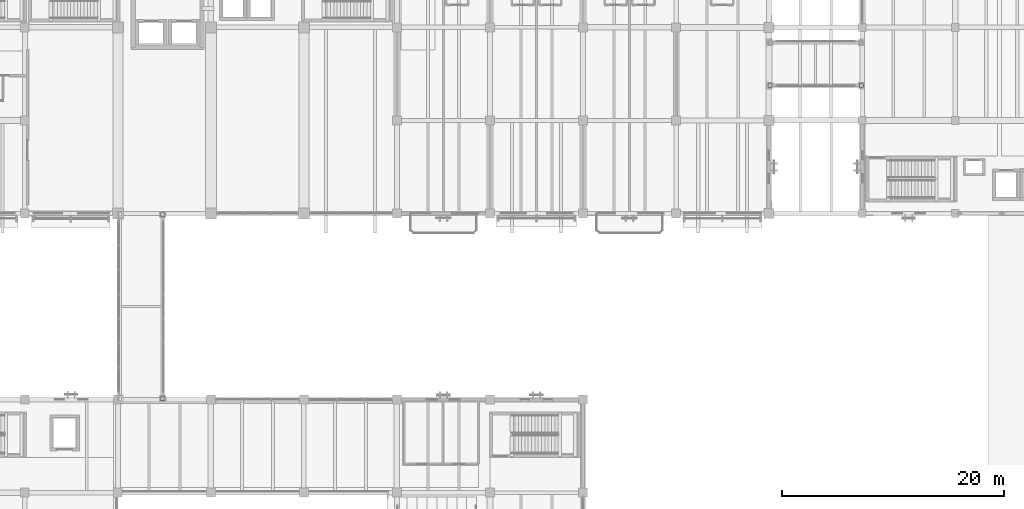
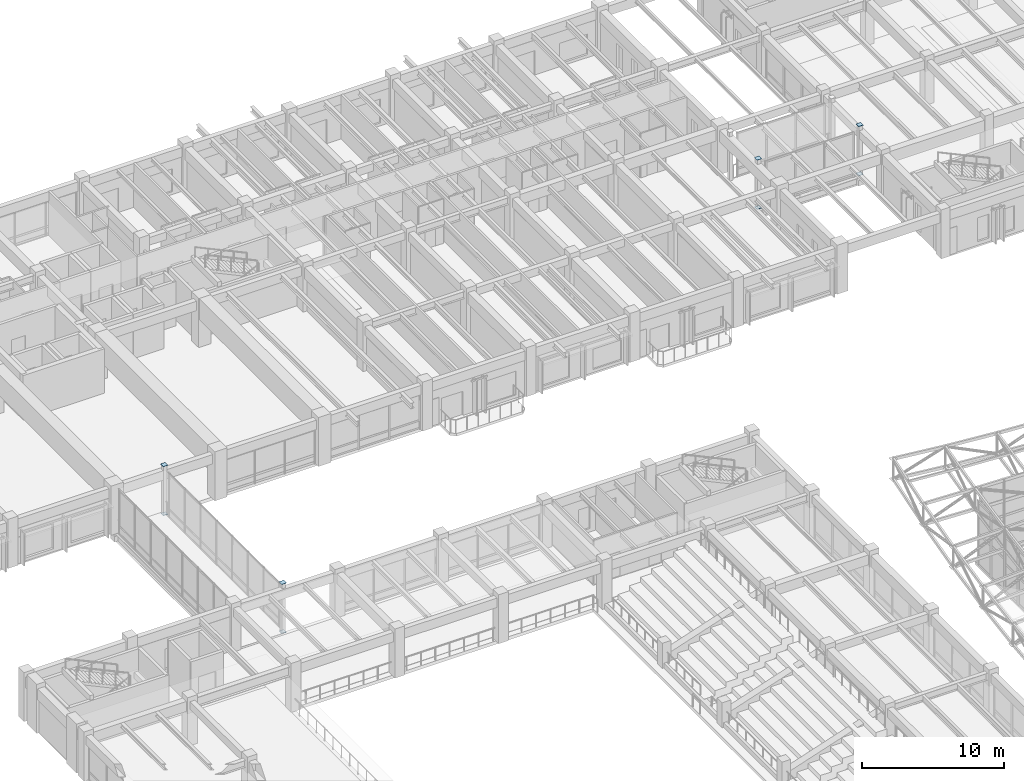
# One storey, part 78 of 132: 8 plates.
"""IFC4 building model written with IfcOpenShell, lengths in metres."""

from ifc_helpers import new_model, si_unit, direction, frame, origin, origin_2d, place, context, subcontext, project, spatial, rectangle, extrude, material, layer, layer_set, type_object, element, save


model = new_model("IFC4")

# Units and contexts
model_context = context("Model", 3, precision=1e-05, world=origin(), true_north=direction((0.0, 1.0)))
body_context = subcontext(model_context, "Body", "Model", "MODEL_VIEW")
ifc_project = project(units=[si_unit("LENGTHUNIT", "METRE"), si_unit("AREAUNIT", "SQUARE_METRE"), si_unit("VOLUMEUNIT", "CUBIC_METRE"), si_unit("PLANEANGLEUNIT", "RADIAN"), si_unit("MASSUNIT", "GRAM", prefix="KILO")], contexts=[model_context])

# Site, building, storey
site_placement = place(None, origin())
site = spatial("IfcSite", under=ifc_project, at=site_placement, CompositionType="ELEMENT")
building_placement = place(site_placement, origin())
building = spatial("IfcBuilding", under=site, at=building_placement, Name="Cumbredor Promenade Congress Hotel", CompositionType="ELEMENT")
storey_placement = place(building_placement, frame((0.0, 0.0, 7.56005859375)))
storey = spatial("IfcBuildingStorey", under=building, at=storey_placement, Name="L02", CompositionType="ELEMENT", Elevation=7.56005859375)

# Plates
ifc_material = material(Name="Steel ASTM A572 Grade 50", Category="steel")
ifc_layer = layer(ifc_material, 0.02001953125, Name="Steel ASTM A572 Grade 50", Category="steel")
ifc_layer_set = layer_set([ifc_layer], Name="Steel ASTM A572 Grade 50")
plate_type = type_object("IfcPlateType", Name="Hollow Section End Cap Plate CP-04", PredefinedType="USERDEFINED", material=ifc_layer_set)
for number, where, z_axis, x_axis, name in (
    (1, (29.25, 67.280029296875, -0.01806640625), (0.0, 0.0, 1.0), (1.0, 0.0, 0.0), "L02 West Congress-to-Hotel Glazed Bridge Support Column 2 Start Cap Plate"),
    (2, (29.25, 67.280029296875, 4.197998046875), (0.0, 0.0, 1.0), (1.0, 0.0, 0.0), "L02 West Congress-to-Hotel Glazed Bridge Support Column 2 End Cap Plate"),
    (3, (29.25, 83.919921875, -0.01806640625), (0.0, 0.0, 1.0), (1.0, 0.0, 0.0), "L02 West Congress-to-Hotel Glazed Bridge Support Column 4 Start Cap Plate"),
    (4, (29.25, 83.919921875, 4.197998046875), (0.0, 0.0, 1.0), (1.0, 0.0, 0.0), "L02 West Congress-to-Hotel Glazed Bridge Support Column 4 End Cap Plate"),
    (5, (84.080078125, 95.550048828125, -0.01806640625), (0.0, 0.0, 1.0), (1.0, 0.0, 0.0), "L02 North Hotel-to-Forum Glazed Bridge Support Column 1 Start Cap Plate"),
    (6, (84.080078125, 95.550048828125, 4.197998046875), (0.0, 0.0, 1.0), (1.0, 0.0, 0.0), "L02 North Hotel-to-Forum Glazed Bridge Support Column 1 End Cap Plate"),
    (7, (92.320068359375, 95.550048828125, -0.01806640625), (0.0, 0.0, 1.0), (1.0, 0.0, 0.0), "L02 North Hotel-to-Forum Glazed Bridge Support Column 3 Start Cap Plate"),
    (8, (92.320068359375, 95.550048828125, 4.197998046875), (0.0, 0.0, 1.0), (1.0, 0.0, 0.0), "L02 North Hotel-to-Forum Glazed Bridge Support Column 3 End Cap Plate"),
):
    element("IfcPlate", number, at=place(storey_placement, frame(where, z_axis=z_axis, x_axis=x_axis)), inside=storey, type_object=plate_type, Name=name, ObjectType="CAP PLATE", PredefinedType="USERDEFINED", context=body_context, shape_type="SweptSolid", body=[
        extrude(rectangle(XDim=0.3798828125, YDim=0.3798828125, at=origin_2d()), origin(), (0.0, 0.0, 1.0), 0.02001953125),
    ])

save(model, "model.ifc")
